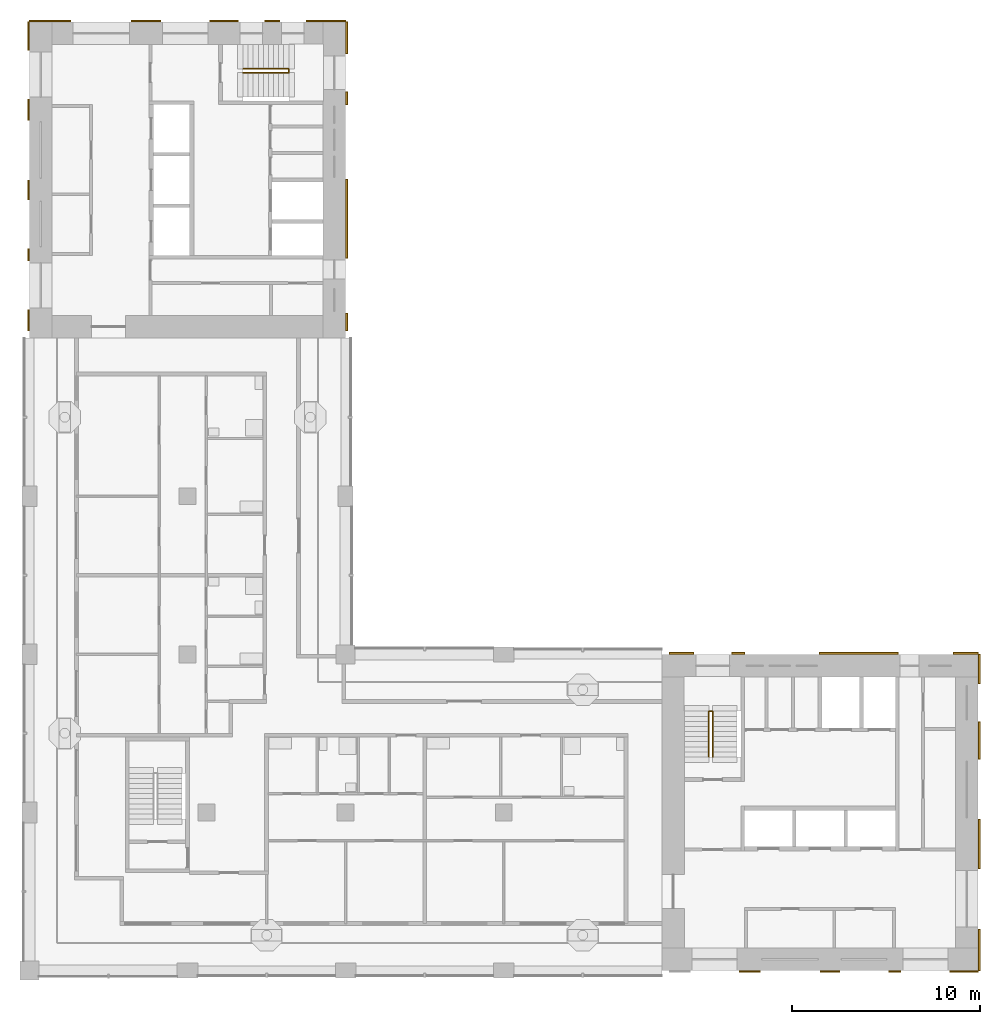
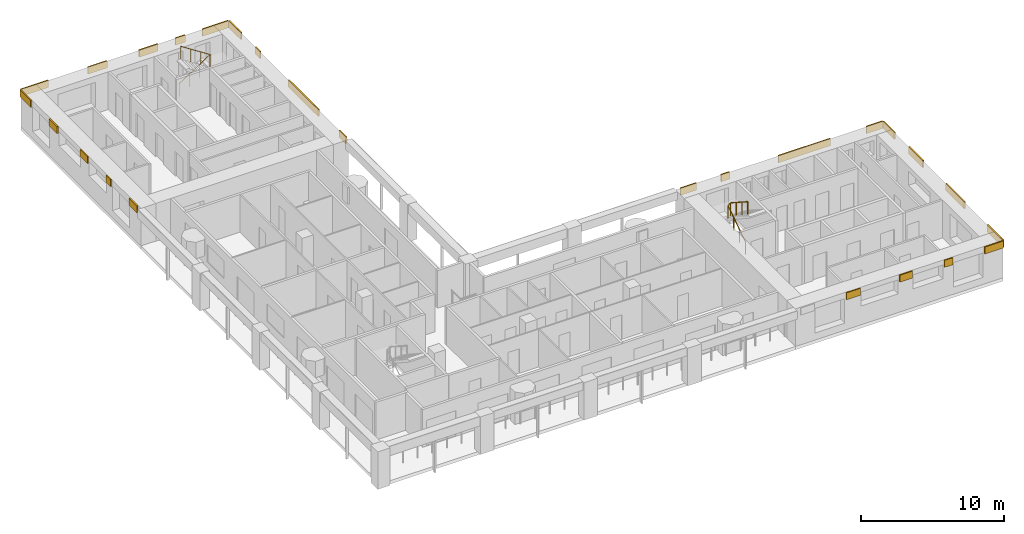
# One storey, part 9 of 12: 26 shading devices, 2 railings.
"""IFC4 building model written with IfcOpenShell, lengths in metres."""

from ifc_helpers import new_model, si_unit, direction, frame, origin, origin_2d, place, context, subcontext, project, spatial, rectangle, circle, extrude, material, layer, layer_set, type_object, element, save


model = new_model("IFC4")

# Units and contexts
model_context = context("Model", 3, precision=1e-05, world=origin(), true_north=direction((0.0, 1.0)))
body_context = subcontext(model_context, "Body", "Model", "MODEL_VIEW")
ifc_project = project(units=[si_unit("LENGTHUNIT", "METRE"), si_unit("AREAUNIT", "SQUARE_METRE"), si_unit("VOLUMEUNIT", "CUBIC_METRE"), si_unit("PLANEANGLEUNIT", "RADIAN"), si_unit("MASSUNIT", "GRAM", prefix="KILO")], contexts=[model_context])

# Site, building, storey
site_placement = place(None, origin())
site = spatial("IfcSite", under=ifc_project, at=site_placement, CompositionType="ELEMENT")
building_placement = place(site_placement, origin())
building = spatial("IfcBuilding", under=site, at=building_placement, Name="Vermilion Gate Residences", CompositionType="ELEMENT")
storey_placement = place(building_placement, frame((0.0, 0.0, 221.199951171875)))
storey = spatial("IfcBuildingStorey", under=building, at=storey_placement, Name="L57", CompositionType="ELEMENT", Elevation=221.199951171875)

# Railings
ifc_material_1 = material(Name="Steel S355", Category="steel")
railing_type = type_object("IfcRailingType", Name="STAIR GUARD 1100 STEEL", PredefinedType="GUARDRAIL", material=ifc_material_1)
railing_1_placement = place(storey_placement, frame((44.5, 19.75, 0.175048828125)))
element("IfcRailing", 1, at=railing_1_placement, inside=storey, type_object=railing_type, Name="Stair well guard STA1-57", PredefinedType="GUARDRAIL", context=body_context, shape_type="SweptSolid", body=[
    extrude(circle(Radius=0.02392578125, at=origin_2d()), frame((0.0, 0.0, 1.076171875), z_axis=(0.0, 0.839153699163, 0.543894354798), x_axis=(-1.0, 0.0, 0.0)), (0.0, 0.0, 1.0), 2.895751953125),
    extrude(circle(Radius=0.02392578125, at=origin_2d()), frame((0.0, 2.429931640625, 2.65087890625), z_axis=(0.752405939678, 0.0, 0.658699705433), x_axis=(0.0, 1.0, 0.0)), (0.0, 0.0, 1.0), 0.265869140625),
    extrude(circle(Radius=0.02392578125, at=origin_2d()), frame((0.199951171875, 2.429931640625, 2.826171875), z_axis=(0.0, -0.839153699163, 0.543894354798), x_axis=(1.0, 0.0, 0.0)), (0.0, 0.0, 1.0), 2.895751953125),
    extrude(circle(Radius=0.02099609375, at=origin_2d()), origin(), (0.0, 0.0, 1.0), 1.052001953125),
    extrude(circle(Radius=0.02099609375, at=origin_2d()), frame((0.0, 0.81005859375, 0.52490234375)), (0.0, 0.0, 1.0), 1.052001953125),
    extrude(circle(Radius=0.02099609375, at=origin_2d()), frame((0.0, 1.619873046875, 1.050048828125)), (0.0, 0.0, 1.0), 1.052001953125),
    extrude(circle(Radius=0.02099609375, at=origin_2d()), frame((0.0, 2.429931640625, 1.574951171875)), (0.0, 0.0, 1.0), 1.052001953125),
    extrude(circle(Radius=0.02099609375, at=origin_2d()), frame((0.199951171875, 2.429931640625, 1.75)), (0.0, 0.0, 1.0), 1.052001953125),
    extrude(circle(Radius=0.02099609375, at=origin_2d()), frame((0.199951171875, 1.619873046875, 2.27490234375)), (0.0, 0.0, 1.0), 1.052001953125),
    extrude(circle(Radius=0.02099609375, at=origin_2d()), frame((0.199951171875, 0.81005859375, 2.800048828125)), (0.0, 0.0, 1.0), 1.052001953125),
    extrude(circle(Radius=0.02099609375, at=origin_2d()), frame((0.199951171875, 0.0, 3.324951171875)), (0.0, 0.0, 1.0), 1.052001953125),
])
railing_2_placement = place(storey_placement, frame((19.75, 56.300048828125, 0.175048828125)))
element("IfcRailing", 2, at=railing_2_placement, inside=storey, type_object=railing_type, Name="Stair well guard STB1-57", PredefinedType="GUARDRAIL", context=body_context, shape_type="SweptSolid", body=[
    extrude(circle(Radius=0.02392578125, at=origin_2d()), frame((0.0, 0.0, 1.076171875), z_axis=(0.839153699163, 0.0, 0.543894354798), x_axis=(0.0, 1.0, 0.0)), (0.0, 0.0, 1.0), 2.895751953125),
    extrude(circle(Radius=0.02392578125, at=origin_2d()), frame((2.429931640625, 0.0, 2.65087890625), z_axis=(0.0, -0.752405939678, 0.658699705433), x_axis=(1.0, 0.0, 0.0)), (0.0, 0.0, 1.0), 0.265869140625),
    extrude(circle(Radius=0.02392578125, at=origin_2d()), frame((2.429931640625, -0.199951171875, 2.826171875), z_axis=(-0.839153699163, 0.0, 0.543894354798), x_axis=(0.0, -1.0, 0.0)), (0.0, 0.0, 1.0), 2.895751953125),
    extrude(circle(Radius=0.02099609375, at=origin_2d()), origin(), (0.0, 0.0, 1.0), 1.052001953125),
    extrude(circle(Radius=0.02099609375, at=origin_2d()), frame((0.81005859375, 0.0, 0.52490234375)), (0.0, 0.0, 1.0), 1.052001953125),
    extrude(circle(Radius=0.02099609375, at=origin_2d()), frame((1.619873046875, 0.0, 1.050048828125)), (0.0, 0.0, 1.0), 1.052001953125),
    extrude(circle(Radius=0.02099609375, at=origin_2d()), frame((2.429931640625, 0.0, 1.574951171875)), (0.0, 0.0, 1.0), 1.052001953125),
    extrude(circle(Radius=0.02099609375, at=origin_2d()), frame((2.429931640625, -0.199951171875, 1.75)), (0.0, 0.0, 1.0), 1.052001953125),
    extrude(circle(Radius=0.02099609375, at=origin_2d()), frame((1.619873046875, -0.199951171875, 2.27490234375)), (0.0, 0.0, 1.0), 1.052001953125),
    extrude(circle(Radius=0.02099609375, at=origin_2d()), frame((0.81005859375, -0.199951171875, 2.800048828125)), (0.0, 0.0, 1.0), 1.052001953125),
    extrude(circle(Radius=0.02099609375, at=origin_2d()), frame((0.0, -0.199951171875, 3.324951171875)), (0.0, 0.0, 1.0), 1.052001953125),
])

# Shading devices
ifc_material_2 = material(Name="Extruded terracotta", Category="masonry")
ifc_layer = layer(ifc_material_2, 0.10009765625)
ifc_layer_set = layer_set([ifc_layer], Name="TERRACOTTA SPANDREL BAND 600 X 100")
shading_device_type = type_object("IfcShadingDeviceType", Name="TERRACOTTA SPANDREL BAND 600 X 100", PredefinedType="USERDEFINED", material=ifc_layer_set)
shading_device_1_placement = place(storey_placement, frame((46.657470703125, 8.35009765625, 2.6201171875), z_axis=(0.0, 0.0, 1.0), x_axis=(1.0, 0.0, 0.0)))
element("IfcShadingDevice", 3, at=shading_device_1_placement, inside=storey, type_object=shading_device_type, Name="SPANDREL BAND", ObjectType="BAND", PredefinedType="USERDEFINED", context=body_context, shape_type="SweptSolid", body=[
    extrude(rectangle(XDim=1.114990234375, YDim=0.10009765625, at=origin_2d()), origin(), (0.0, 0.0, 1.0), 0.60009765625),
])
shading_device_2_placement = place(storey_placement, frame((50.927490234375, 8.35009765625, 2.6201171875), z_axis=(0.0, 0.0, 1.0), x_axis=(1.0, 0.0, 0.0)))
element("IfcShadingDevice", 4, at=shading_device_2_placement, inside=storey, type_object=shading_device_type, Name="SPANDREL BAND", ObjectType="BAND", PredefinedType="USERDEFINED", context=body_context, shape_type="SweptSolid", body=[
    extrude(rectangle(XDim=1.02490234375, YDim=0.10009765625, at=origin_2d()), origin(), (0.0, 0.0, 1.0), 0.60009765625),
])
shading_device_3_placement = place(storey_placement, frame((54.3701171875, 8.35009765625, 2.6201171875), z_axis=(0.0, 0.0, 1.0), x_axis=(1.0, 0.0, 0.0)))
element("IfcShadingDevice", 5, at=shading_device_3_placement, inside=storey, type_object=shading_device_type, Name="SPANDREL BAND", ObjectType="BAND", PredefinedType="USERDEFINED", context=body_context, shape_type="SweptSolid", body=[
    extrude(rectangle(XDim=0.659912109375, YDim=0.10009765625, at=origin_2d()), origin(), (0.0, 0.0, 1.0), 0.60009765625),
])
shading_device_4_placement = place(storey_placement, frame((58.050048828125, 8.35009765625, 2.6201171875), z_axis=(0.0, 0.0, 1.0), x_axis=(1.0, 0.0, 0.0)))
element("IfcShadingDevice", 6, at=shading_device_4_placement, inside=storey, type_object=shading_device_type, Name="SPANDREL BAND", ObjectType="BAND", PredefinedType="USERDEFINED", context=body_context, shape_type="SweptSolid", body=[
    extrude(rectangle(XDim=1.5, YDim=0.10009765625, at=origin_2d()), origin(), (0.0, 0.0, 1.0), 0.60009765625),
])
shading_device_5_placement = place(storey_placement, frame((43.050048828125, 25.25, 2.6201171875), z_axis=(0.0, 0.0, 1.0), x_axis=(1.0, 0.0, 0.0)))
element("IfcShadingDevice", 7, at=shading_device_5_placement, inside=storey, type_object=shading_device_type, Name="SPANDREL BAND", ObjectType="BAND", PredefinedType="USERDEFINED", context=body_context, shape_type="SweptSolid", body=[
    extrude(rectangle(XDim=1.300048828125, YDim=0.10009765625, at=origin_2d()), origin(), (0.0, 0.0, 1.0), 0.60009765625),
])
shading_device_6_placement = place(storey_placement, frame((46.044921875, 25.25, 2.6201171875), z_axis=(0.0, 0.0, 1.0), x_axis=(1.0, 0.0, 0.0)))
element("IfcShadingDevice", 8, at=shading_device_6_placement, inside=storey, type_object=shading_device_type, Name="SPANDREL BAND", ObjectType="BAND", PredefinedType="USERDEFINED", context=body_context, shape_type="SweptSolid", body=[
    extrude(rectangle(XDim=0.68994140625, YDim=0.10009765625, at=origin_2d()), origin(), (0.0, 0.0, 1.0), 0.60009765625),
])
shading_device_7_placement = place(storey_placement, frame((52.449951171875, 25.25, 2.6201171875), z_axis=(0.0, 0.0, 1.0), x_axis=(1.0, 0.0, 0.0)))
element("IfcShadingDevice", 9, at=shading_device_7_placement, inside=storey, type_object=shading_device_type, Name="SPANDREL BAND", ObjectType="BAND", PredefinedType="USERDEFINED", context=body_context, shape_type="SweptSolid", body=[
    extrude(rectangle(XDim=4.199951171875, YDim=0.10009765625, at=origin_2d()), origin(), (0.0, 0.0, 1.0), 0.60009765625),
])
shading_device_8_placement = place(storey_placement, frame((58.137451171875, 25.25, 2.6201171875), z_axis=(0.0, 0.0, 1.0), x_axis=(1.0, 0.0, 0.0)))
element("IfcShadingDevice", 10, at=shading_device_8_placement, inside=storey, type_object=shading_device_type, Name="SPANDREL BAND", ObjectType="BAND", PredefinedType="USERDEFINED", context=body_context, shape_type="SweptSolid", body=[
    extrude(rectangle(XDim=1.324951171875, YDim=0.10009765625, at=origin_2d()), origin(), (0.0, 0.0, 1.0), 0.60009765625),
])
shading_device_9_placement = place(storey_placement, frame((58.85009765625, 9.50244140625, 2.6201171875), z_axis=(0.0, 0.0, 1.0), x_axis=(0.0, 1.0, 0.0)))
element("IfcShadingDevice", 11, at=shading_device_9_placement, inside=storey, type_object=shading_device_type, Name="SPANDREL BAND", ObjectType="BAND", PredefinedType="USERDEFINED", context=body_context, shape_type="SweptSolid", body=[
    extrude(rectangle(XDim=2.205078125, YDim=0.10009765625, at=origin_2d()), origin(), (0.0, 0.0, 1.0), 0.60009765625),
])
shading_device_10_placement = place(storey_placement, frame((58.85009765625, 15.118896484375, 2.6201171875), z_axis=(0.0, 0.0, 1.0), x_axis=(0.0, 1.0, 0.0)))
element("IfcShadingDevice", 12, at=shading_device_10_placement, inside=storey, type_object=shading_device_type, Name="SPANDREL BAND", ObjectType="BAND", PredefinedType="USERDEFINED", context=body_context, shape_type="SweptSolid", body=[
    extrude(rectangle(XDim=2.62744140625, YDim=0.10009765625, at=origin_2d()), origin(), (0.0, 0.0, 1.0), 0.60009765625),
])
shading_device_11_placement = place(storey_placement, frame((58.85009765625, 20.6298828125, 2.6201171875), z_axis=(0.0, 0.0, 1.0), x_axis=(0.0, 1.0, 0.0)))
element("IfcShadingDevice", 13, at=shading_device_11_placement, inside=storey, type_object=shading_device_type, Name="SPANDREL BAND", ObjectType="BAND", PredefinedType="USERDEFINED", context=body_context, shape_type="SweptSolid", body=[
    extrude(rectangle(XDim=1.9951171875, YDim=0.10009765625, at=origin_2d()), origin(), (0.0, 0.0, 1.0), 0.60009765625),
])
shading_device_12_placement = place(storey_placement, frame((58.85009765625, 24.413818359375, 2.6201171875), z_axis=(0.0, 0.0, 1.0), x_axis=(0.0, 1.0, 0.0)))
element("IfcShadingDevice", 14, at=shading_device_12_placement, inside=storey, type_object=shading_device_type, Name="SPANDREL BAND", ObjectType="BAND", PredefinedType="USERDEFINED", context=body_context, shape_type="SweptSolid", body=[
    extrude(rectangle(XDim=1.572509765625, YDim=0.10009765625, at=origin_2d()), origin(), (0.0, 0.0, 1.0), 0.60009765625),
])
shading_device_13_placement = place(storey_placement, frame((9.50244140625, 58.85009765625, 2.6201171875), z_axis=(0.0, 0.0, 1.0), x_axis=(1.0, 0.0, 0.0)))
element("IfcShadingDevice", 15, at=shading_device_13_placement, inside=storey, type_object=shading_device_type, Name="SPANDREL BAND", ObjectType="BAND", PredefinedType="USERDEFINED", context=body_context, shape_type="SweptSolid", body=[
    extrude(rectangle(XDim=2.205078125, YDim=0.10009765625, at=origin_2d()), origin(), (0.0, 0.0, 1.0), 0.60009765625),
])
shading_device_14_placement = place(storey_placement, frame((14.590087890625, 58.85009765625, 2.6201171875), z_axis=(0.0, 0.0, 1.0), x_axis=(1.0, 0.0, 0.0)))
element("IfcShadingDevice", 16, at=shading_device_14_placement, inside=storey, type_object=shading_device_type, Name="SPANDREL BAND", ObjectType="BAND", PredefinedType="USERDEFINED", context=body_context, shape_type="SweptSolid", body=[
    extrude(rectangle(XDim=1.570068359375, YDim=0.10009765625, at=origin_2d()), origin(), (0.0, 0.0, 1.0), 0.60009765625),
])
shading_device_15_placement = place(storey_placement, frame((18.734130859375, 58.85009765625, 2.6201171875), z_axis=(0.0, 0.0, 1.0), x_axis=(1.0, 0.0, 0.0)))
element("IfcShadingDevice", 17, at=shading_device_15_placement, inside=storey, type_object=shading_device_type, Name="SPANDREL BAND", ObjectType="BAND", PredefinedType="USERDEFINED", context=body_context, shape_type="SweptSolid", body=[
    extrude(rectangle(XDim=1.518310546875, YDim=0.10009765625, at=origin_2d()), origin(), (0.0, 0.0, 1.0), 0.60009765625),
])
shading_device_16_placement = place(storey_placement, frame((21.294921875, 58.85009765625, 2.6201171875), z_axis=(0.0, 0.0, 1.0), x_axis=(1.0, 0.0, 0.0)))
element("IfcShadingDevice", 18, at=shading_device_16_placement, inside=storey, type_object=shading_device_type, Name="SPANDREL BAND", ObjectType="BAND", PredefinedType="USERDEFINED", context=body_context, shape_type="SweptSolid", body=[
    extrude(rectangle(XDim=0.803466796875, YDim=0.10009765625, at=origin_2d()), origin(), (0.0, 0.0, 1.0), 0.60009765625),
])
shading_device_17_placement = place(storey_placement, frame((24.1484375, 58.85009765625, 2.6201171875), z_axis=(0.0, 0.0, 1.0), x_axis=(1.0, 0.0, 0.0)))
element("IfcShadingDevice", 19, at=shading_device_17_placement, inside=storey, type_object=shading_device_type, Name="SPANDREL BAND", ObjectType="BAND", PredefinedType="USERDEFINED", context=body_context, shape_type="SweptSolid", body=[
    extrude(rectangle(XDim=2.103271484375, YDim=0.10009765625, at=origin_2d()), origin(), (0.0, 0.0, 1.0), 0.60009765625),
])
shading_device_18_placement = place(storey_placement, frame((8.35009765625, 42.949951171875, 2.6201171875), z_axis=(0.0, 0.0, 1.0), x_axis=(0.0, 1.0, 0.0)))
element("IfcShadingDevice", 20, at=shading_device_18_placement, inside=storey, type_object=shading_device_type, Name="SPANDREL BAND", ObjectType="BAND", PredefinedType="USERDEFINED", context=body_context, shape_type="SweptSolid", body=[
    extrude(rectangle(XDim=1.10009765625, YDim=0.10009765625, at=origin_2d()), origin(), (0.0, 0.0, 1.0), 0.60009765625),
])
shading_device_19_placement = place(storey_placement, frame((8.35009765625, 46.429931640625, 2.6201171875), z_axis=(0.0, 0.0, 1.0), x_axis=(0.0, 1.0, 0.0)))
element("IfcShadingDevice", 21, at=shading_device_19_placement, inside=storey, type_object=shading_device_type, Name="SPANDREL BAND", ObjectType="BAND", PredefinedType="USERDEFINED", context=body_context, shape_type="SweptSolid", body=[
    extrude(rectangle(XDim=0.659912109375, YDim=0.10009765625, at=origin_2d()), origin(), (0.0, 0.0, 1.0), 0.60009765625),
])
shading_device_20_placement = place(storey_placement, frame((8.35009765625, 49.87255859375, 2.6201171875), z_axis=(0.0, 0.0, 1.0), x_axis=(0.0, 1.0, 0.0)))
element("IfcShadingDevice", 22, at=shading_device_20_placement, inside=storey, type_object=shading_device_type, Name="SPANDREL BAND", ObjectType="BAND", PredefinedType="USERDEFINED", context=body_context, shape_type="SweptSolid", body=[
    extrude(rectangle(XDim=1.02490234375, YDim=0.10009765625, at=origin_2d()), origin(), (0.0, 0.0, 1.0), 0.60009765625),
])
shading_device_21_placement = place(storey_placement, frame((8.35009765625, 54.142578125, 2.6201171875), z_axis=(0.0, 0.0, 1.0), x_axis=(0.0, 1.0, 0.0)))
element("IfcShadingDevice", 23, at=shading_device_21_placement, inside=storey, type_object=shading_device_type, Name="SPANDREL BAND", ObjectType="BAND", PredefinedType="USERDEFINED", context=body_context, shape_type="SweptSolid", body=[
    extrude(rectangle(XDim=1.114990234375, YDim=0.10009765625, at=origin_2d()), origin(), (0.0, 0.0, 1.0), 0.60009765625),
])
shading_device_22_placement = place(storey_placement, frame((8.35009765625, 58.050048828125, 2.6201171875), z_axis=(0.0, 0.0, 1.0), x_axis=(0.0, 1.0, 0.0)))
element("IfcShadingDevice", 24, at=shading_device_22_placement, inside=storey, type_object=shading_device_type, Name="SPANDREL BAND", ObjectType="BAND", PredefinedType="USERDEFINED", context=body_context, shape_type="SweptSolid", body=[
    extrude(rectangle(XDim=1.5, YDim=0.10009765625, at=origin_2d()), origin(), (0.0, 0.0, 1.0), 0.60009765625),
])
shading_device_23_placement = place(storey_placement, frame((25.25, 42.862548828125, 2.6201171875), z_axis=(0.0, 0.0, 1.0), x_axis=(0.0, 1.0, 0.0)))
element("IfcShadingDevice", 25, at=shading_device_23_placement, inside=storey, type_object=shading_device_type, Name="SPANDREL BAND", ObjectType="BAND", PredefinedType="USERDEFINED", context=body_context, shape_type="SweptSolid", body=[
    extrude(rectangle(XDim=0.925048828125, YDim=0.10009765625, at=origin_2d()), origin(), (0.0, 0.0, 1.0), 0.60009765625),
])
shading_device_24_placement = place(storey_placement, frame((25.25, 48.35009765625, 2.6201171875), z_axis=(0.0, 0.0, 1.0), x_axis=(0.0, 1.0, 0.0)))
element("IfcShadingDevice", 26, at=shading_device_24_placement, inside=storey, type_object=shading_device_type, Name="SPANDREL BAND", ObjectType="BAND", PredefinedType="USERDEFINED", context=body_context, shape_type="SweptSolid", body=[
    extrude(rectangle(XDim=4.199951171875, YDim=0.10009765625, at=origin_2d()), origin(), (0.0, 0.0, 1.0), 0.60009765625),
])
shading_device_25_placement = place(storey_placement, frame((25.25, 54.7548828125, 2.6201171875), z_axis=(0.0, 0.0, 1.0), x_axis=(0.0, 1.0, 0.0)))
element("IfcShadingDevice", 27, at=shading_device_25_placement, inside=storey, type_object=shading_device_type, Name="SPANDREL BAND", ObjectType="BAND", PredefinedType="USERDEFINED", context=body_context, shape_type="SweptSolid", body=[
    extrude(rectangle(XDim=0.68994140625, YDim=0.10009765625, at=origin_2d()), origin(), (0.0, 0.0, 1.0), 0.60009765625),
])
shading_device_26_placement = place(storey_placement, frame((25.25, 57.949951171875, 2.6201171875), z_axis=(0.0, 0.0, 1.0), x_axis=(0.0, 1.0, 0.0)))
element("IfcShadingDevice", 28, at=shading_device_26_placement, inside=storey, type_object=shading_device_type, Name="SPANDREL BAND", ObjectType="BAND", PredefinedType="USERDEFINED", context=body_context, shape_type="SweptSolid", body=[
    extrude(rectangle(XDim=1.699951171875, YDim=0.10009765625, at=origin_2d()), origin(), (0.0, 0.0, 1.0), 0.60009765625),
])

save(model, "model.ifc")
